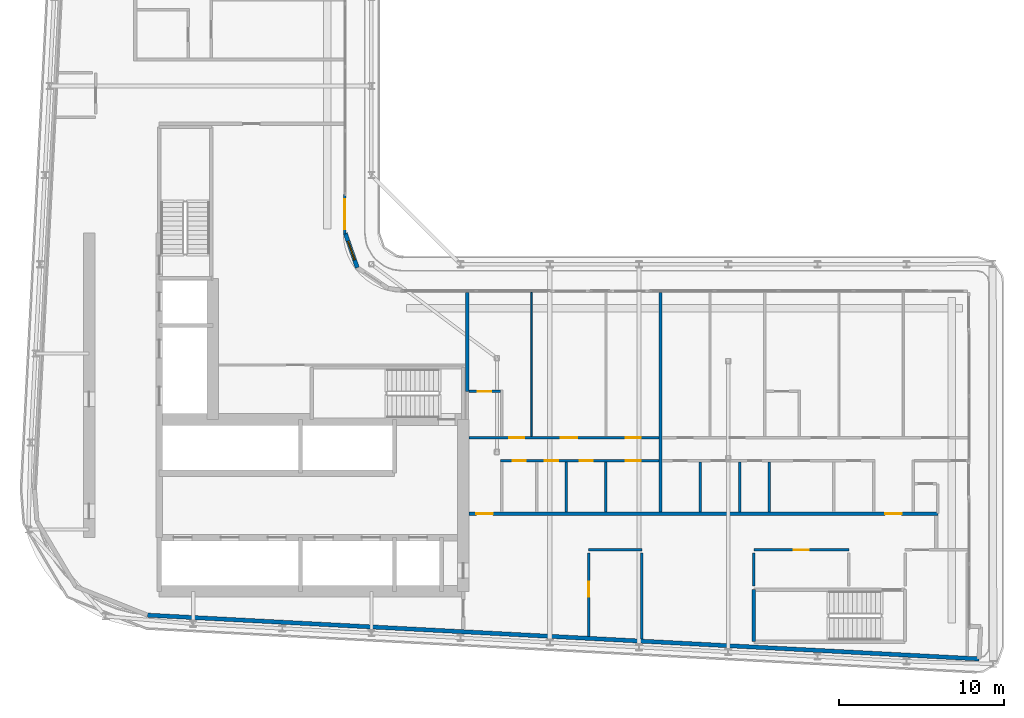
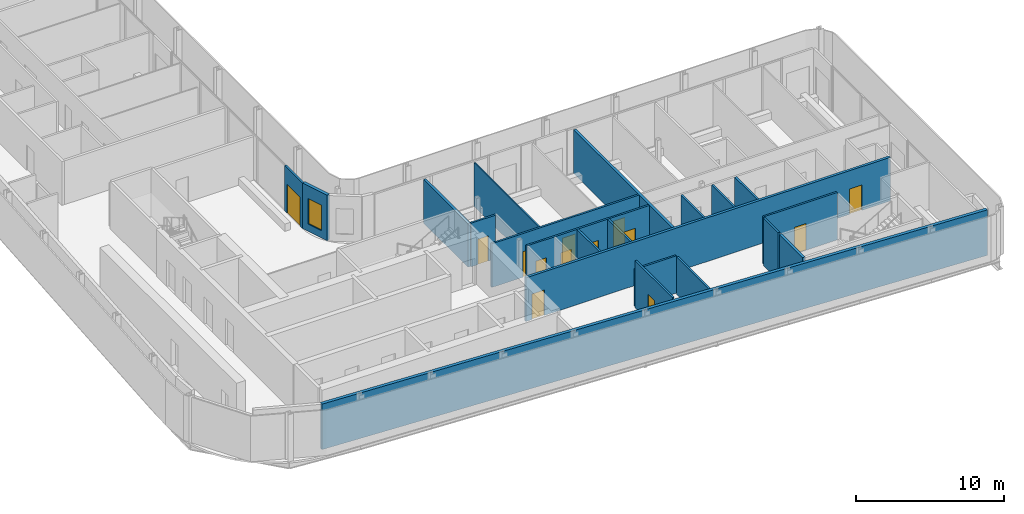
# One storey, part 11 of 23: 21 walls, 13 doors, 1 window, 14 openings.
"""IFC4 building model written with IfcOpenShell, lengths in metres."""

import ifcopenshell
import ifcopenshell.guid

model = None  # the IFC model being written
_history = None  # IfcOwnerHistory: only IFC2X3 demands one
_inside = {}  # id of a spatial element -> (the spatial element, [elements in it])
_under = {}  # id of a project, library or spatial element -> (it, [spatial elements below it])
_declared = {}  # id of a project -> (the project, [libraries it declares])
_typed = {}  # id of a type object -> (the type object, [elements of that type])
_made_of = {}  # id of a material, layer set ... -> (it, [elements and type objects made of it])


def new_model(schema):
    """Start an empty IFC model of exactly this schema.

    Asked for "IFC4X3", IfcOpenShell would pick the latest addendum, in which some entities
    have other attributes; the version numbers below select the first issue.
    IFC2X3 requires an IfcOwnerHistory on every rooted entity: one is made here for all.
    """
    global model, _history
    if schema == "IFC4X3":
        model = ifcopenshell.file(schema_version=(4, 3, 0, 0))
    else:
        model = ifcopenshell.file(schema=schema)
    _inside.clear()
    _under.clear()
    _declared.clear()
    _typed.clear()
    _made_of.clear()
    _history = None
    if model.schema == "IFC2X3":
        org = make("IfcOrganization", Name="unknown")
        user = make(
            "IfcPersonAndOrganization",
            ThePerson=make("IfcPerson", FamilyName="unknown"),
            TheOrganization=org,
        )
        app = make(
            "IfcApplication",
            ApplicationDeveloper=org,
            Version="unknown",
            ApplicationFullName="unknown",
            ApplicationIdentifier="unknown",
        )
        _history = make(
            "IfcOwnerHistory",
            OwningUser=user,
            OwningApplication=app,
            ChangeAction="ADDED",
            CreationDate=0,
        )
    return model


def make(cls, **values):
    """One entity of the class cls with the attributes given. An attribute that is None is left unset."""
    return model.create_entity(
        cls, **{name: value for name, value in values.items() if value is not None}
    )


def rooted(cls, **values):
    """An entity with a GlobalId (a new one), such as an element, a storey or a relation."""
    return make(cls, GlobalId=ifcopenshell.guid.new(), OwnerHistory=_history, **values)


def si_unit(unit_type, name, prefix=None):
    """IfcSIUnit, for example si_unit("LENGTHUNIT", "METRE", prefix="MILLI")."""
    return make("IfcSIUnit", UnitType=unit_type, Prefix=prefix, Name=name)


def assignment(units):
    """IfcUnitAssignment: the units of a project."""
    return None if units is None else make("IfcUnitAssignment", Units=units)


def point(xyz):
    """IfcCartesianPoint."""
    return None if xyz is None else make("IfcCartesianPoint", Coordinates=xyz)


def direction(xyz):
    """IfcDirection."""
    return None if xyz is None else make("IfcDirection", DirectionRatios=xyz)


def frame(location, z_axis=None, x_axis=None):
    """IfcAxis2Placement3D, a coordinate frame: its origin and axes. An axis left out is left unset."""
    return make(
        "IfcAxis2Placement3D",
        Location=point(location),
        Axis=direction(z_axis),
        RefDirection=direction(x_axis),
    )


def frame_2d(location, x_axis=None):
    """IfcAxis2Placement2D, a coordinate frame in the plane: its origin and x axis."""
    return make(
        "IfcAxis2Placement2D", Location=point(location), RefDirection=direction(x_axis)
    )


def origin():
    """The frame at (0, 0, 0) with its axes left unset."""
    return frame((0.0, 0.0, 0.0))


def place(relative_to, where):
    """IfcLocalPlacement: puts the frame where relative to a parent placement (None: the world)."""
    return make(
        "IfcLocalPlacement", PlacementRelTo=relative_to, RelativePlacement=where
    )


def context(
    kind, dimensions, precision=None, world=None, true_north=None, identifier=None
):
    """IfcGeometricRepresentationContext, for example the 3D "Model" context."""
    return make(
        "IfcGeometricRepresentationContext",
        ContextIdentifier=identifier,
        ContextType=kind,
        CoordinateSpaceDimension=dimensions,
        Precision=precision,
        WorldCoordinateSystem=world,
        TrueNorth=true_north,
    )


def subcontext(parent, identifier, kind, view, scale=None):
    """IfcGeometricRepresentationSubContext, for example "Body" below "Model"."""
    return make(
        "IfcGeometricRepresentationSubContext",
        ContextIdentifier=identifier,
        ContextType=kind,
        ParentContext=parent,
        TargetScale=scale,
        TargetView=view,
    )


def project(units=None, contexts=None):
    """IfcProject with its units and contexts."""
    return rooted(
        "IfcProject",
        Name="project",
        RepresentationContexts=contexts,
        UnitsInContext=assignment(units),
    )


def spatial(cls, under=None, at=None, **own):
    """A site, building, storey or space (cls), placed at a placement, below another one or the project."""
    s = rooted(cls, ObjectPlacement=at, **own)
    if under is not None:
        _under.setdefault(under.id(), (under, []))[1].append(s)
    return s


def profile(cls, at=None, kind="AREA", **sizes):
    """A parametric profile (cls). Its sizes go by their IFC names, for example OverallWidth=200.0."""
    return make(cls, ProfileType=kind, Position=at, **sizes)


def rectangle(**sizes):
    """IfcRectangleProfileDef."""
    return profile("IfcRectangleProfileDef", **sizes)


def extrude(swept, where, along, depth):
    """IfcExtrudedAreaSolid: the profile swept, set in the frame where, extruded along a direction by depth."""
    return make(
        "IfcExtrudedAreaSolid",
        SweptArea=swept,
        Position=where,
        ExtrudedDirection=direction(along),
        Depth=depth,
    )


def shape(context_of_items, identifier, shape_type, items):
    """IfcShapeRepresentation: the items that make up one representation, for example the "Body"."""
    return make(
        "IfcShapeRepresentation",
        ContextOfItems=context_of_items,
        RepresentationIdentifier=identifier,
        RepresentationType=shape_type,
        Items=items,
    )


def source(mapping_origin, context_of_items, identifier, shape_type, items):
    """IfcRepresentationMap: a shape defined once, which mapped items show again and again."""
    return make(
        "IfcRepresentationMap",
        MappingOrigin=mapping_origin,
        MappedRepresentation=shape(context_of_items, identifier, shape_type, items),
    )


def transform(
    local_origin,
    x_axis=None,
    y_axis=None,
    z_axis=None,
    scale=None,
    scale2=None,
    scale3=None,
    uniform=True,
):
    """IfcCartesianTransformationOperator3D, or its non-uniform kind. x_axis, y_axis, z_axis: its Axis1, 2, 3."""
    if uniform:
        return make(
            "IfcCartesianTransformationOperator3D",
            Axis1=direction(x_axis),
            Axis2=direction(y_axis),
            LocalOrigin=point(local_origin),
            Scale=scale,
            Axis3=direction(z_axis),
        )
    return make(
        "IfcCartesianTransformationOperator3DnonUniform",
        Axis1=direction(x_axis),
        Axis2=direction(y_axis),
        LocalOrigin=point(local_origin),
        Scale=scale,
        Axis3=direction(z_axis),
        Scale2=scale2,
        Scale3=scale3,
    )


def mapped(mapping_source, mapping_target):
    """IfcMappedItem: shows the shape of a source again, moved by a transform."""
    return make(
        "IfcMappedItem", MappingSource=mapping_source, MappingTarget=mapping_target
    )


def material(Name=None, Category=None):
    """IfcMaterial."""
    return make("IfcMaterial", Name=Name, Category=Category)


def layer(
    of_material, thickness, ventilated=None, Name=None, Category=None, Priority=None
):
    """IfcMaterialLayer: one layer of a wall or slab, of a material (None: an air gap)."""
    return make(
        "IfcMaterialLayer",
        Material=of_material,
        LayerThickness=thickness,
        IsVentilated=ventilated,
        Name=Name,
        Category=Category,
        Priority=Priority,
    )


def layer_set(layers, Name=None):
    """IfcMaterialLayerSet."""
    return make("IfcMaterialLayerSet", MaterialLayers=layers, LayerSetName=Name)


def made_of(thing, what):
    """Note that an element or type object is made of a material, layer set ...; save() writes the relation."""
    if what is not None:
        _made_of.setdefault(what.id(), (what, []))[1].append(thing)
    return thing


def type_object(cls, material=None, **own):
    """A type object (cls), such as IfcWallType, which elements share."""
    return made_of(rooted(cls, **own), material)


def element(
    cls,
    number,
    at=None,
    inside=None,
    cuts=None,
    type_object=None,
    material=None,
    context=None,
    identifier="Body",
    shape_type=None,
    held_by="IfcProductDefinitionShape",
    body=None,
    shapes=None,
    **own,
):
    """One element of the class cls, such as IfcWall. Its Tag is "e" and its number.

    at: its placement. inside: the storey or other place that contains it. cuts: it is an
    opening in that element (IfcRelVoidsElement). A single representation is given by context,
    identifier, shape_type and body (its items); several are given by shapes. held_by: the class
    of the entity that holds the representations. save() writes the other relations.
    """
    e = rooted(cls, Tag="e%d" % number, ObjectPlacement=at, **own)
    if body is not None:
        shapes = [shape(context, identifier, shape_type, body)]
    if shapes is not None:
        e.Representation = make(held_by, Representations=shapes)
    if inside is not None:
        _inside.setdefault(inside.id(), (inside, []))[1].append(e)
    if cuts is not None:
        rooted(
            "IfcRelVoidsElement", RelatingBuildingElement=cuts, RelatedOpeningElement=e
        )
    if type_object is not None:
        _typed.setdefault(type_object.id(), (type_object, []))[1].append(e)
    return made_of(e, material)


def fill(opening, filler):
    """IfcRelFillsElement: the door or window that sits in an opening."""
    return rooted(
        "IfcRelFillsElement",
        RelatingOpeningElement=opening,
        RelatedBuildingElement=filler,
    )


def aggregate(whole, parts):
    """IfcRelAggregates: a whole, such as a stair, and the parts it consists of."""
    return rooted("IfcRelAggregates", RelatingObject=whole, RelatedObjects=parts)


def save(model, path):
    """Write the relations noted so far, then the file.

    IfcRelAggregates (storeys below a building ...), IfcRelContainedInSpatialStructure (elements
    in a storey), IfcRelDefinesByType, IfcRelAssociatesMaterial and IfcRelDeclares: one each for
    every whole, place, type object, material and project.
    """
    for whole, parts in _under.values():
        aggregate(whole, parts)
    for where, things in _inside.values():
        rooted(
            "IfcRelContainedInSpatialStructure",
            RelatedElements=things,
            RelatingStructure=where,
        )
    for kind, things in _typed.values():
        rooted("IfcRelDefinesByType", RelatedObjects=things, RelatingType=kind)
    for what, things in _made_of.values():
        rooted("IfcRelAssociatesMaterial", RelatedObjects=things, RelatingMaterial=what)
    for by, libraries in _declared.values():
        rooted("IfcRelDeclares", RelatingContext=by, RelatedDefinitions=libraries)
    model.write(path)


model = new_model("IFC4")

# Units and contexts
model_context = context("Model", 3, precision=1e-05, world=origin(), true_north=direction((0.0, 1.0)))
body_context = subcontext(model_context, "Body", "Model", "MODEL_VIEW")
ifc_project = project(units=[si_unit("LENGTHUNIT", "METRE"), si_unit("AREAUNIT", "SQUARE_METRE"), si_unit("VOLUMEUNIT", "CUBIC_METRE"), si_unit("PLANEANGLEUNIT", "RADIAN"), si_unit("MASSUNIT", "GRAM", prefix="KILO")], contexts=[model_context])

# Site, building, storey
site_placement = place(None, origin())
site = spatial("IfcSite", under=ifc_project, at=site_placement, CompositionType="ELEMENT")
building_placement = place(site_placement, origin())
building = spatial("IfcBuilding", under=site, at=building_placement, Name="Kheshtan School and Residences Tower", CompositionType="ELEMENT")
storey_placement = place(building_placement, frame((0.0, 0.0, 259.10009765625)))
storey = spatial("IfcBuildingStorey", under=building, at=storey_placement, Name="L61", CompositionType="ELEMENT", Elevation=259.10009765625)

# Wall, openings, doors
ifc_material_1 = material(Name="Gypsum board on steel studs with fire boards", Category="steel")
ifc_layer_1 = layer(ifc_material_1, 0.199951171875)
ifc_layer_set_1 = layer_set([ifc_layer_1], Name="Corridor wall 200")
wall_type_1 = type_object("IfcWallType", Name="Corridor wall 200", PredefinedType="PARTITIONING", material=ifc_layer_set_1)
wall_1_placement = place(storey_placement, frame((53.4990234375, 30.5, 0.0), z_axis=(0.0, 0.0, 1.0), x_axis=(1.0, 0.0, 0.0)))
wall_1 = element("IfcWall", 1, at=wall_1_placement, inside=storey, type_object=wall_type_1, Name="Partition L61-033", PredefinedType="PARTITIONING", context=body_context, shape_type="SweptSolid", body=[
    extrude(rectangle(XDim=28.40087890625, YDim=0.199951171875, at=frame_2d((14.200439453125, 0.0))), origin(), (0.0, 0.0, 1.0), 3.599853515625),
])
opening_1_placement = place(wall_1_placement, frame((0.450927734375, 0.0, 0.0)))
opening_1 = element("IfcOpeningElement", 2, at=opening_1_placement, cuts=wall_1, Name="Opening D61-004", PredefinedType="OPENING", context=body_context, shape_type="SweptSolid", body=[
    extrude(rectangle(XDim=1.0, YDim=2.10009765625, at=frame_2d((0.5, 1.050048828125))), frame((0.0, 0.10986328125, 0.0), z_axis=(0.0, -1.0, 0.0), x_axis=(1.0, 0.0, 0.0)), (0.0, 0.0, 1.0), 0.219970703125),
])
opening_2_placement = place(wall_1_placement, frame((25.200927734375, 0.0, 0.0)))
opening_2 = element("IfcOpeningElement", 3, at=opening_2_placement, cuts=wall_1, Name="Opening D61-016", PredefinedType="OPENING", context=body_context, shape_type="SweptSolid", body=[
    extrude(rectangle(XDim=1.0, YDim=2.10009765625, at=frame_2d((0.5, 1.050048828125))), frame((0.0, 0.10986328125, 0.0), z_axis=(0.0, -1.0, 0.0), x_axis=(1.0, 0.0, 0.0)), (0.0, 0.0, 1.0), 0.219970703125),
])
ifc_material_2 = material(Name="Steel-framed fire-resisting door leaf", Category="steel")
door_type_1 = type_object("IfcDoorType", Name="Fire door FD30S 1000 x 2100", OperationType="SINGLE_SWING_LEFT", PredefinedType="DOOR", material=ifc_material_2)
shared_shape_1 = source(origin(), body_context, "Body", "SweptSolid", [
    extrude(rectangle(XDim=1.0, YDim=2.10009765625, at=frame_2d((0.5, 1.050048828125))), frame((0.0, 0.02490234375, 0.0), z_axis=(0.0, -1.0, 0.0), x_axis=(1.0, 0.0, 0.0)), (0.0, 0.0, 1.0), 0.050048828125),
])
door_1_placement = place(opening_1_placement, origin())
door_1 = element("IfcDoor", 4, at=door_1_placement, inside=storey, type_object=door_type_1, Name="Door D61-004", OperationType="SINGLE_SWING_LEFT", OverallHeight=2.10009765625, OverallWidth=1.0, PredefinedType="DOOR", context=body_context, shape_type="MappedRepresentation", body=[
    mapped(shared_shape_1, transform((0.0, 0.0, 0.0), x_axis=(1.0, 0.0, 0.0), y_axis=(0.0, 1.0, 0.0), z_axis=(0.0, 0.0, 1.0), scale=1.0)),
])
fill(opening_1, door_1)
door_2_placement = place(opening_2_placement, origin())
door_2 = element("IfcDoor", 5, at=door_2_placement, inside=storey, type_object=door_type_1, Name="Door D61-016", OperationType="SINGLE_SWING_RIGHT", OverallHeight=2.10009765625, OverallWidth=1.0, PredefinedType="DOOR", context=body_context, shape_type="MappedRepresentation", body=[
    mapped(shared_shape_1, transform((0.0, 0.0, 0.0), x_axis=(1.0, 0.0, 0.0), y_axis=(0.0, 1.0, 0.0), z_axis=(0.0, 0.0, 1.0), scale=1.0)),
])
fill(opening_2, door_2)

# Wall, opening, window
ifc_material_3 = material(Name="Concrete C40/50 with ceramic cladding and mineral wool insulation", Category="concrete")
ifc_layer_2 = layer(ifc_material_3, 0.25)
ifc_layer_set_2 = layer_set([ifc_layer_2], Name="External wall 250 ceramic clad")
wall_type_2 = type_object("IfcWallType", Name="External wall 250 ceramic clad", PredefinedType="SOLIDWALL", material=ifc_layer_set_2)
wall_2_placement = place(storey_placement, frame((46.01806640625, 47.470947265625, 0.0), z_axis=(0.0, 0.0, 1.0), x_axis=(0.328791208903, -0.944402637093, 0.0)))
wall_2 = element("IfcWall", 6, at=wall_2_placement, inside=storey, type_object=wall_type_2, Name="External wall L61 9", PredefinedType="SOLIDWALL", context=body_context, shape_type="SweptSolid", body=[
    extrude(rectangle(XDim=2.20458984375, YDim=0.25, at=frame_2d((1.102294921875, 0.0))), origin(), (0.0, 0.0, 1.0), 3.75),
])
opening_3_placement = place(wall_2_placement, frame((0.5029296875, 0.0, 0.60009765625)))
opening_3 = element("IfcOpeningElement", 7, at=opening_3_placement, cuts=wall_2, Name="Opening WN-E", PredefinedType="OPENING", context=body_context, shape_type="SweptSolid", body=[
    extrude(rectangle(XDim=1.199951171875, YDim=2.10009765625, at=frame_2d((0.60009765625, 1.050048828125))), frame((0.0, 0.135009765625, 0.0), z_axis=(0.0, -1.0, 0.0), x_axis=(1.0, 0.0, 0.0)), (0.0, 0.0, 1.0), 0.27001953125),
])
ifc_material_4 = material(Name="Clear low-e glass in thermally broken aluminium frame", Category="aluminium")
window_type = type_object("IfcWindowType", Name="Window WN-E", PartitioningType="SINGLE_PANEL", PredefinedType="WINDOW", material=ifc_material_4)
shared_shape_2 = source(origin(), body_context, "Body", "SweptSolid", [
    extrude(rectangle(XDim=1.199951171875, YDim=2.10009765625, at=frame_2d((0.60009765625, 1.050048828125))), frame((0.0, 0.030029296875, 0.0), z_axis=(0.0, -1.0, 0.0), x_axis=(1.0, 0.0, 0.0)), (0.0, 0.0, 1.0), 0.06005859375),
])
window_placement = place(opening_3_placement, origin())
window = element("IfcWindow", 8, at=window_placement, inside=storey, type_object=window_type, Name="Window L61 9", OverallHeight=2.10009765625, OverallWidth=1.199951171875, PartitioningType="SINGLE_PANEL", PredefinedType="WINDOW", context=body_context, shape_type="MappedRepresentation", body=[
    mapped(shared_shape_2, transform((0.0, 0.0, 0.0), x_axis=(1.0, 0.0, 0.0), y_axis=(0.0, 1.0, 0.0), z_axis=(0.0, 0.0, 1.0), scale=1.0)),
])
fill(opening_3, window)

# Wall
wall_3_placement = place(storey_placement, frame((84.385986328125, 21.702880859375, 0.0), z_axis=(0.0, 0.0, 1.0), x_axis=(-0.998617508267, 0.05256493302, 0.0)))
element("IfcWall", 9, at=wall_3_placement, inside=storey, type_object=wall_type_2, Name="External wall L61 16", PredefinedType="SOLIDWALL", context=body_context, shape_type="SweptSolid", body=[
    extrude(rectangle(XDim=50.41650390625, YDim=0.25, at=frame_2d((25.208251953125, 0.0))), origin(), (0.0, 0.0, 1.0), 3.75),
])

# Wall, opening, door
ifc_material_5 = material(Name="Aluminium frame wall with insulated infill", Category="aluminium")
ifc_layer_3 = layer(ifc_material_5, 0.14990234375)
ifc_layer_set_3 = layer_set([ifc_layer_3], Name="Glazing frame wall 150")
wall_type_3 = type_object("IfcWallType", Name="Glazing frame wall 150", PredefinedType="SOLIDWALL", material=ifc_layer_set_3)
wall_4_placement = place(storey_placement, frame((45.97509765625, 49.830078125, 0.0), z_axis=(0.0, 0.0, 1.0), x_axis=(0.0, -1.0, 0.0)))
wall_4 = element("IfcWall", 10, at=wall_4_placement, inside=storey, type_object=wall_type_3, Name="Balcony door wall L61 8.5", PredefinedType="SOLIDWALL", context=body_context, shape_type="SweptSolid", body=[
    extrude(rectangle(XDim=2.400146484375, YDim=0.14990234375, at=frame_2d((1.2001953125, 0.0))), origin(), (0.0, 0.0, 1.0), 3.75),
])
opening_4_placement = place(wall_4_placement, frame((0.300048828125, 0.0, 0.0)))
opening_4 = element("IfcOpeningElement", 11, at=opening_4_placement, cuts=wall_4, Name="Opening BD", PredefinedType="OPENING", context=body_context, shape_type="SweptSolid", body=[
    extrude(rectangle(XDim=1.800048828125, YDim=2.39990234375, at=frame_2d((0.89990234375, 1.199951171875))), frame((0.0, 0.0849609375, 0.0), z_axis=(0.0, -1.0, 0.0), x_axis=(1.0, 0.0, 0.0)), (0.0, 0.0, 1.0), 0.169921875),
])
door_type_2 = type_object("IfcDoorType", Name="Balcony sliding door", OperationType="SLIDING_TO_LEFT", PredefinedType="DOOR", material=ifc_material_4)
shared_shape_3 = source(origin(), body_context, "Body", "SweptSolid", [
    extrude(rectangle(XDim=1.800048828125, YDim=2.39990234375, at=frame_2d((0.89990234375, 1.199951171875))), frame((0.0, 0.02490234375, 0.0), z_axis=(0.0, -1.0, 0.0), x_axis=(1.0, 0.0, 0.0)), (0.0, 0.0, 1.0), 0.050048828125),
])
door_3_placement = place(opening_4_placement, origin())
door_3 = element("IfcDoor", 12, at=door_3_placement, inside=storey, type_object=door_type_2, Name="Balcony door L61 8.5", OperationType="SLIDING_TO_LEFT", OverallHeight=2.39990234375, OverallWidth=1.800048828125, PredefinedType="DOOR", context=body_context, shape_type="MappedRepresentation", body=[
    mapped(shared_shape_3, transform((0.0, 0.0, 0.0), x_axis=(1.0, 0.0, 0.0), y_axis=(0.0, 1.0, 0.0), z_axis=(0.0, 0.0, 1.0), scale=1.0)),
])
fill(opening_4, door_3)

# Walls
ifc_material_6 = material(Name="Gypsum board on steel studs", Category="steel")
ifc_layer_4 = layer(ifc_material_6, 0.10009765625)
ifc_layer_set_4 = layer_set([ifc_layer_4], Name="Gypsum partition 100")
wall_type_4 = type_object("IfcWallType", Name="Gypsum partition 100", PredefinedType="PARTITIONING", material=ifc_layer_set_4)
wall_5_placement = place(storey_placement, frame((57.300048828125, 35.175048828125, 0.0), z_axis=(0.0, 0.0, 1.0), x_axis=(0.0, 1.0, 0.0)))
element("IfcWall", 13, at=wall_5_placement, inside=storey, type_object=wall_type_4, Name="Partition L61-039", PredefinedType="PARTITIONING", context=body_context, shape_type="SweptSolid", body=[
    extrude(rectangle(XDim=8.724853515625, YDim=0.10009765625, at=frame_2d((4.3623046875, 0.0))), origin(), (0.0, 0.0, 1.0), 3.599853515625),
])
ifc_material_7 = material(Name="Fire-board shaft wall system")
ifc_layer_5 = layer(ifc_material_7, 0.14990234375)
ifc_layer_set_5 = layer_set([ifc_layer_5], Name="Service room wall 150")
wall_type_5 = type_object("IfcWallType", Name="Service room wall 150", PredefinedType="PARTITIONING", material=ifc_layer_set_5)
wall_6_placement = place(storey_placement, frame((60.75, 28.300048828125, 0.0), z_axis=(0.0, 0.0, 1.0), x_axis=(1.0, 0.0, 0.0)))
element("IfcWall", 14, at=wall_6_placement, inside=storey, type_object=wall_type_5, Name="Service room wall", PredefinedType="PARTITIONING", context=body_context, shape_type="SweptSolid", body=[
    extrude(rectangle(XDim=3.22998046875, YDim=0.14990234375, at=frame_2d((1.614990234375, 0.0))), origin(), (0.0, 0.0, 1.0), 3.072021484375),
])

# Wall, opening, door
wall_7_placement = place(storey_placement, frame((60.75, 23.074951171875, 0.0), z_axis=(0.0, 0.0, 1.0), x_axis=(0.0, 1.0, 0.0)))
wall_7 = element("IfcWall", 15, at=wall_7_placement, inside=storey, type_object=wall_type_5, Name="Service room wall", PredefinedType="PARTITIONING", context=body_context, shape_type="SweptSolid", body=[
    extrude(rectangle(XDim=5.030029296875, YDim=0.14990234375, at=frame_2d((2.51513671875, 0.0))), origin(), (0.0, 0.0, 1.0), 3.89990234375),
])
opening_5_placement = place(wall_7_placement, frame((2.386962890625, 0.0, 0.0)))
opening_5 = element("IfcOpeningElement", 16, at=opening_5_placement, cuts=wall_7, Name="Opening SR90", PredefinedType="OPENING", context=body_context, shape_type="SweptSolid", body=[
    extrude(rectangle(XDim=0.89990234375, YDim=2.199951171875, at=frame_2d((0.449951171875, 1.10009765625))), frame((0.0, 0.0849609375, 0.0), z_axis=(0.0, -1.0, 0.0), x_axis=(1.0, 0.0, 0.0)), (0.0, 0.0, 1.0), 0.169921875),
])
ifc_material_8 = material(Name="Steel door leaf, galvanised", Category="steel")
door_type_3 = type_object("IfcDoorType", Name="Service room door 900 steel 90 min", OperationType="SINGLE_SWING_LEFT", PredefinedType="DOOR", material=ifc_material_8)
shared_shape_4 = source(origin(), body_context, "Body", "SweptSolid", [
    extrude(rectangle(XDim=0.89990234375, YDim=2.199951171875, at=frame_2d((0.449951171875, 1.10009765625))), frame((0.0, 0.02490234375, 0.0), z_axis=(0.0, -1.0, 0.0), x_axis=(1.0, 0.0, 0.0)), (0.0, 0.0, 1.0), 0.050048828125),
])
door_4_placement = place(opening_5_placement, origin())
door_4 = element("IfcDoor", 17, at=door_4_placement, inside=storey, type_object=door_type_3, Name="Service room door", OperationType="SINGLE_SWING_LEFT", OverallHeight=2.199951171875, OverallWidth=0.89990234375, PredefinedType="DOOR", context=body_context, shape_type="MappedRepresentation", body=[
    mapped(shared_shape_4, transform((0.0, 0.0, 0.0), x_axis=(1.0, 0.0, 0.0), y_axis=(0.0, 1.0, 0.0), z_axis=(0.0, 0.0, 1.0), scale=1.0)),
])
fill(opening_5, door_4)

# Wall
wall_8_placement = place(storey_placement, frame((63.97998046875, 22.905029296875, 0.0), z_axis=(0.0, 0.0, 1.0), x_axis=(0.0, 1.0, 0.0)))
element("IfcWall", 18, at=wall_8_placement, inside=storey, type_object=wall_type_5, Name="Service room wall", PredefinedType="PARTITIONING", context=body_context, shape_type="SweptSolid", body=[
    extrude(rectangle(XDim=5.199951171875, YDim=0.14990234375, at=frame_2d((2.60009765625, 0.0))), origin(), (0.0, 0.0, 1.0), 3.072021484375),
])

# Wall, opening, door
wall_9_placement = place(storey_placement, frame((70.75, 28.300048828125, 0.0), z_axis=(0.0, 0.0, 1.0), x_axis=(1.0, 0.0, 0.0)))
wall_9 = element("IfcWall", 19, at=wall_9_placement, inside=storey, type_object=wall_type_5, Name="Service room wall", PredefinedType="PARTITIONING", context=body_context, shape_type="SweptSolid", body=[
    extrude(rectangle(XDim=5.760009765625, YDim=0.14990234375, at=frame_2d((2.8798828125, 0.0))), origin(), (0.0, 0.0, 1.0), 3.89990234375),
])
opening_6_placement = place(wall_9_placement, frame((2.429931640625, 0.0, 0.0)))
opening_6 = element("IfcOpeningElement", 20, at=opening_6_placement, cuts=wall_9, Name="Opening SR90", PredefinedType="OPENING", context=body_context, shape_type="SweptSolid", body=[
    extrude(rectangle(XDim=0.89990234375, YDim=2.199951171875, at=frame_2d((0.449951171875, 1.10009765625))), frame((0.0, 0.0849609375, 0.0), z_axis=(0.0, -1.0, 0.0), x_axis=(1.0, 0.0, 0.0)), (0.0, 0.0, 1.0), 0.169921875),
])
door_5_placement = place(opening_6_placement, origin())
door_5 = element("IfcDoor", 21, at=door_5_placement, inside=storey, type_object=door_type_3, Name="Service room door", OperationType="SINGLE_SWING_LEFT", OverallHeight=2.199951171875, OverallWidth=0.89990234375, PredefinedType="DOOR", context=body_context, shape_type="MappedRepresentation", body=[
    mapped(shared_shape_4, transform((0.0, 0.0, 0.0), x_axis=(1.0, 0.0, 0.0), y_axis=(0.0, 1.0, 0.0), z_axis=(0.0, 0.0, 1.0), scale=1.0)),
])
fill(opening_6, door_5)

# Walls
wall_10_placement = place(storey_placement, frame((70.75, 26.1201171875, 0.0), z_axis=(0.0, 0.0, 1.0), x_axis=(0.0, 1.0, 0.0)))
element("IfcWall", 22, at=wall_10_placement, inside=storey, type_object=wall_type_5, Name="Service room wall", PredefinedType="PARTITIONING", context=body_context, shape_type="SweptSolid", body=[
    extrude(rectangle(XDim=1.98486328125, YDim=0.14990234375, at=frame_2d((0.992431640625, 0.0))), origin(), (0.0, 0.0, 1.0), 3.89990234375),
])
ifc_material_9 = material(Name="Concrete C40/50", Category="concrete")
ifc_layer_6 = layer(ifc_material_9, 0.199951171875)
ifc_layer_set_6 = layer_set([ifc_layer_6], Name="Stair enclosure wall 200 Concrete C40/50")
wall_type_6 = type_object("IfcWallType", Name="Stair enclosure wall 200 Concrete C40/50", PredefinedType="SHEAR", material=ifc_layer_set_6)
wall_11_placement = place(storey_placement, frame((70.75, 22.75, 0.0), z_axis=(0.0, 0.0, 1.0), x_axis=(0.0, 1.0, 0.0)))
element("IfcWall", 23, at=wall_11_placement, inside=storey, type_object=wall_type_6, Name="Stair enclosure wall ST5", PredefinedType="SHEAR", context=body_context, shape_type="SweptSolid", body=[
    extrude(rectangle(XDim=3.14990234375, YDim=0.199951171875, at=frame_2d((1.574951171875, 0.0))), origin(), (0.0, 0.0, 1.0), 3.89990234375),
])
ifc_material_10 = material(Name="Twin gypsum board on steel studs with mineral wool", Category="steel")
ifc_layer_7 = layer(ifc_material_10, 0.199951171875)
ifc_layer_set_7 = layer_set([ifc_layer_7], Name="Unit demising wall 200")
wall_type_7 = type_object("IfcWallType", Name="Unit demising wall 200", PredefinedType="PARTITIONING", material=ifc_layer_set_7)
wall_12_placement = place(storey_placement, frame((53.39990234375, 37.89990234375, 0.0), z_axis=(0.0, 0.0, 1.0), x_axis=(0.0, 1.0, 0.0)))
element("IfcWall", 24, at=wall_12_placement, inside=storey, type_object=wall_type_7, Name="Partition L61-032", PredefinedType="PARTITIONING", context=body_context, shape_type="SweptSolid", body=[
    extrude(rectangle(XDim=6.0, YDim=0.199951171875, at=frame_2d((3.0, 0.0))), origin(), (0.0, 0.0, 1.0), 3.599853515625),
])
wall_13_placement = place(storey_placement, frame((65.10009765625, 30.60009765625, 0.0), z_axis=(0.0, 0.0, 1.0), x_axis=(0.0, 1.0, 0.0)))
element("IfcWall", 25, at=wall_13_placement, inside=storey, type_object=wall_type_7, Name="Partition L61-044", PredefinedType="PARTITIONING", context=body_context, shape_type="SweptSolid", body=[
    extrude(rectangle(XDim=13.2998046875, YDim=0.199951171875, at=frame_2d((6.64990234375, 0.0))), origin(), (0.0, 0.0, 1.0), 3.599853515625),
])

# Wall, openings, doors
ifc_material_11 = material(Name="Moisture-resistant gypsum board on steel studs", Category="steel")
ifc_layer_8 = layer(ifc_material_11, 0.14990234375)
ifc_layer_set_8 = layer_set([ifc_layer_8], Name="Wet-room partition 150")
wall_type_8 = type_object("IfcWallType", Name="Wet-room partition 150", PredefinedType="PARTITIONING", material=ifc_layer_set_8)
wall_14_placement = place(storey_placement, frame((53.4990234375, 35.10009765625, 0.0), z_axis=(0.0, 0.0, 1.0), x_axis=(1.0, 0.0, 0.0)))
wall_14 = element("IfcWall", 26, at=wall_14_placement, inside=storey, type_object=wall_type_8, Name="Partition L61-034", PredefinedType="PARTITIONING", context=body_context, shape_type="SweptSolid", body=[
    extrude(rectangle(XDim=11.5009765625, YDim=0.14990234375, at=frame_2d((5.75048828125, 0.0))), origin(), (0.0, 0.0, 1.0), 3.599853515625),
])
opening_7_placement = place(wall_14_placement, frame((9.5009765625, 0.0, 0.0)))
opening_7 = element("IfcOpeningElement", 27, at=opening_7_placement, cuts=wall_14, Name="Opening D61-002", PredefinedType="OPENING", context=body_context, shape_type="SweptSolid", body=[
    extrude(rectangle(XDim=0.89990234375, YDim=2.10009765625, at=frame_2d((0.449951171875, 1.050048828125))), frame((0.0, 0.0849609375, 0.0), z_axis=(0.0, -1.0, 0.0), x_axis=(1.0, 0.0, 0.0)), (0.0, 0.0, 1.0), 0.169921875),
])
opening_8_placement = place(wall_14_placement, frame((5.551025390625, 0.0, 0.0)))
opening_8 = element("IfcOpeningElement", 28, at=opening_8_placement, cuts=wall_14, Name="Opening D61-007", PredefinedType="OPENING", context=body_context, shape_type="SweptSolid", body=[
    extrude(rectangle(XDim=1.0, YDim=2.10009765625, at=frame_2d((0.5, 1.050048828125))), frame((0.0, 0.0849609375, 0.0), z_axis=(0.0, -1.0, 0.0), x_axis=(1.0, 0.0, 0.0)), (0.0, 0.0, 1.0), 0.169921875),
])
opening_9_placement = place(wall_14_placement, frame((2.450927734375, 0.0, 0.0)))
opening_9 = element("IfcOpeningElement", 29, at=opening_9_placement, cuts=wall_14, Name="Opening D61-008", PredefinedType="OPENING", context=body_context, shape_type="SweptSolid", body=[
    extrude(rectangle(XDim=0.89990234375, YDim=2.10009765625, at=frame_2d((0.449951171875, 1.050048828125))), frame((0.0, 0.0849609375, 0.0), z_axis=(0.0, -1.0, 0.0), x_axis=(1.0, 0.0, 0.0)), (0.0, 0.0, 1.0), 0.169921875),
])
ifc_material_12 = material(Name="Veneered timber door leaf", Category="wood")
door_type_4 = type_object("IfcDoorType", Name="Door 1000 x 2100", OperationType="SINGLE_SWING_LEFT", PredefinedType="DOOR", material=ifc_material_12)
shared_shape_5 = source(origin(), body_context, "Body", "SweptSolid", [
    extrude(rectangle(XDim=1.0, YDim=2.10009765625, at=frame_2d((0.5, 1.050048828125))), frame((0.0, 0.02490234375, 0.0), z_axis=(0.0, -1.0, 0.0), x_axis=(1.0, 0.0, 0.0)), (0.0, 0.0, 1.0), 0.050048828125),
])
door_6_placement = place(opening_8_placement, origin())
door_6 = element("IfcDoor", 30, at=door_6_placement, inside=storey, type_object=door_type_4, Name="Door D61-007", OperationType="SINGLE_SWING_LEFT", OverallHeight=2.10009765625, OverallWidth=1.0, PredefinedType="DOOR", context=body_context, shape_type="MappedRepresentation", body=[
    mapped(shared_shape_5, transform((0.0, 0.0, 0.0), x_axis=(1.0, 0.0, 0.0), y_axis=(0.0, 1.0, 0.0), z_axis=(0.0, 0.0, 1.0), scale=1.0)),
])
fill(opening_8, door_6)
door_type_5 = type_object("IfcDoorType", Name="Door 900 x 2100", OperationType="SINGLE_SWING_LEFT", PredefinedType="DOOR", material=ifc_material_12)
shared_shape_6 = source(origin(), body_context, "Body", "SweptSolid", [
    extrude(rectangle(XDim=0.89990234375, YDim=2.10009765625, at=frame_2d((0.449951171875, 1.050048828125))), frame((0.0, 0.02490234375, 0.0), z_axis=(0.0, -1.0, 0.0), x_axis=(1.0, 0.0, 0.0)), (0.0, 0.0, 1.0), 0.050048828125),
])
door_7_placement = place(opening_7_placement, origin())
door_7 = element("IfcDoor", 31, at=door_7_placement, inside=storey, type_object=door_type_5, Name="Door D61-002", OperationType="SINGLE_SWING_LEFT", OverallHeight=2.10009765625, OverallWidth=0.89990234375, PredefinedType="DOOR", context=body_context, shape_type="MappedRepresentation", body=[
    mapped(shared_shape_6, transform((0.0, 0.0, 0.0), x_axis=(1.0, 0.0, 0.0), y_axis=(0.0, 1.0, 0.0), z_axis=(0.0, 0.0, 1.0), scale=1.0)),
])
fill(opening_7, door_7)
door_8_placement = place(opening_9_placement, origin())
door_8 = element("IfcDoor", 32, at=door_8_placement, inside=storey, type_object=door_type_5, Name="Door D61-008", OperationType="SINGLE_SWING_RIGHT", OverallHeight=2.10009765625, OverallWidth=0.89990234375, PredefinedType="DOOR", context=body_context, shape_type="MappedRepresentation", body=[
    mapped(shared_shape_6, transform((0.0, 0.0, 0.0), x_axis=(1.0, 0.0, 0.0), y_axis=(0.0, 1.0, 0.0), z_axis=(0.0, 0.0, 1.0), scale=1.0)),
])
fill(opening_9, door_8)

# Wall, opening, door
wall_15_placement = place(storey_placement, frame((53.5, 37.89990234375, 0.0), z_axis=(0.0, 0.0, 1.0), x_axis=(1.0, 0.0, 0.0)))
wall_15 = element("IfcWall", 33, at=wall_15_placement, inside=storey, type_object=wall_type_8, Name="Partition L61-035", PredefinedType="PARTITIONING", context=body_context, shape_type="SweptSolid", body=[
    extrude(rectangle(XDim=1.925048828125, YDim=0.14990234375, at=frame_2d((0.96240234375, 0.0))), origin(), (0.0, 0.0, 1.0), 3.599853515625),
])
opening_10_placement = place(wall_15_placement, frame((0.550048828125, 0.0, 0.0)))
opening_10 = element("IfcOpeningElement", 34, at=opening_10_placement, cuts=wall_15, Name="Opening D61-003", PredefinedType="OPENING", context=body_context, shape_type="SweptSolid", body=[
    extrude(rectangle(XDim=0.800048828125, YDim=2.10009765625, at=frame_2d((0.39990234375, 1.050048828125))), frame((0.0, 0.0849609375, 0.0), z_axis=(0.0, -1.0, 0.0), x_axis=(1.0, 0.0, 0.0)), (0.0, 0.0, 1.0), 0.169921875),
])
door_type_6 = type_object("IfcDoorType", Name="Door 800 x 2100", OperationType="SINGLE_SWING_LEFT", PredefinedType="DOOR", material=ifc_material_12)
shared_shape_7 = source(origin(), body_context, "Body", "SweptSolid", [
    extrude(rectangle(XDim=0.800048828125, YDim=2.10009765625, at=frame_2d((0.39990234375, 1.050048828125))), frame((0.0, 0.02490234375, 0.0), z_axis=(0.0, -1.0, 0.0), x_axis=(1.0, 0.0, 0.0)), (0.0, 0.0, 1.0), 0.050048828125),
])
door_9_placement = place(opening_10_placement, origin())
door_9 = element("IfcDoor", 35, at=door_9_placement, inside=storey, type_object=door_type_6, Name="Door D61-003", OperationType="SINGLE_SWING_LEFT", OverallHeight=2.10009765625, OverallWidth=0.800048828125, PredefinedType="DOOR", context=body_context, shape_type="MappedRepresentation", body=[
    mapped(shared_shape_7, transform((0.0, 0.0, 0.0), x_axis=(1.0, 0.0, 0.0), y_axis=(0.0, 1.0, 0.0), z_axis=(0.0, 0.0, 1.0), scale=1.0)),
])
fill(opening_10, door_9)

# Wall, openings, doors
wall_16_placement = place(storey_placement, frame((55.425048828125, 33.699951171875, 0.0), z_axis=(0.0, 0.0, 1.0), x_axis=(1.0, 0.0, 0.0)))
wall_16 = element("IfcWall", 36, at=wall_16_placement, inside=storey, type_object=wall_type_8, Name="Partition L61-036", PredefinedType="PARTITIONING", context=body_context, shape_type="SweptSolid", body=[
    extrude(rectangle(XDim=9.574951171875, YDim=0.14990234375, at=frame_2d((4.78759765625, 0.0))), origin(), (0.0, 0.0, 1.0), 3.599853515625),
])
opening_11_placement = place(wall_16_placement, frame((4.77490234375, 0.0, 0.0)))
opening_11 = element("IfcOpeningElement", 37, at=opening_11_placement, cuts=wall_16, Name="Opening D61-001", PredefinedType="OPENING", context=body_context, shape_type="SweptSolid", body=[
    extrude(rectangle(XDim=0.800048828125, YDim=2.10009765625, at=frame_2d((0.39990234375, 1.050048828125))), frame((0.0, 0.0849609375, 0.0), z_axis=(0.0, -1.0, 0.0), x_axis=(1.0, 0.0, 0.0)), (0.0, 0.0, 1.0), 0.169921875),
])
opening_12_placement = place(wall_16_placement, frame((7.574951171875, 0.0, 0.0)))
opening_12 = element("IfcOpeningElement", 38, at=opening_12_placement, cuts=wall_16, Name="Opening D61-005", PredefinedType="OPENING", context=body_context, shape_type="SweptSolid", body=[
    extrude(rectangle(XDim=0.89990234375, YDim=2.10009765625, at=frame_2d((0.449951171875, 1.050048828125))), frame((0.0, 0.0849609375, 0.0), z_axis=(0.0, -1.0, 0.0), x_axis=(1.0, 0.0, 0.0)), (0.0, 0.0, 1.0), 0.169921875),
])
opening_13_placement = place(wall_16_placement, frame((0.72509765625, 0.0, 0.0)))
opening_13 = element("IfcOpeningElement", 39, at=opening_13_placement, cuts=wall_16, Name="Opening D61-006", PredefinedType="OPENING", context=body_context, shape_type="SweptSolid", body=[
    extrude(rectangle(XDim=0.800048828125, YDim=2.10009765625, at=frame_2d((0.39990234375, 1.050048828125))), frame((0.0, 0.0849609375, 0.0), z_axis=(0.0, -1.0, 0.0), x_axis=(1.0, 0.0, 0.0)), (0.0, 0.0, 1.0), 0.169921875),
])
opening_14_placement = place(wall_16_placement, frame((2.675048828125, 0.0, 0.0)))
opening_14 = element("IfcOpeningElement", 40, at=opening_14_placement, cuts=wall_16, Name="Opening D61-009", PredefinedType="OPENING", context=body_context, shape_type="SweptSolid", body=[
    extrude(rectangle(XDim=0.800048828125, YDim=2.10009765625, at=frame_2d((0.39990234375, 1.050048828125))), frame((0.0, 0.0849609375, 0.0), z_axis=(0.0, -1.0, 0.0), x_axis=(1.0, 0.0, 0.0)), (0.0, 0.0, 1.0), 0.169921875),
])
door_10_placement = place(opening_11_placement, origin())
door_10 = element("IfcDoor", 41, at=door_10_placement, inside=storey, type_object=door_type_6, Name="Door D61-001", OperationType="SINGLE_SWING_LEFT", OverallHeight=2.10009765625, OverallWidth=0.800048828125, PredefinedType="DOOR", context=body_context, shape_type="MappedRepresentation", body=[
    mapped(shared_shape_7, transform((0.0, 0.0, 0.0), x_axis=(1.0, 0.0, 0.0), y_axis=(0.0, 1.0, 0.0), z_axis=(0.0, 0.0, 1.0), scale=1.0)),
])
fill(opening_11, door_10)
door_11_placement = place(opening_13_placement, origin())
door_11 = element("IfcDoor", 42, at=door_11_placement, inside=storey, type_object=door_type_6, Name="Door D61-006", OperationType="SINGLE_SWING_RIGHT", OverallHeight=2.10009765625, OverallWidth=0.800048828125, PredefinedType="DOOR", context=body_context, shape_type="MappedRepresentation", body=[
    mapped(shared_shape_7, transform((0.0, 0.0, 0.0), x_axis=(1.0, 0.0, 0.0), y_axis=(0.0, 1.0, 0.0), z_axis=(0.0, 0.0, 1.0), scale=1.0)),
])
fill(opening_13, door_11)
door_12_placement = place(opening_14_placement, origin())
door_12 = element("IfcDoor", 43, at=door_12_placement, inside=storey, type_object=door_type_6, Name="Door D61-009", OperationType="SINGLE_SWING_RIGHT", OverallHeight=2.10009765625, OverallWidth=0.800048828125, PredefinedType="DOOR", context=body_context, shape_type="MappedRepresentation", body=[
    mapped(shared_shape_7, transform((0.0, 0.0, 0.0), x_axis=(1.0, 0.0, 0.0), y_axis=(0.0, 1.0, 0.0), z_axis=(0.0, 0.0, 1.0), scale=1.0)),
])
fill(opening_14, door_12)
door_13_placement = place(opening_12_placement, origin())
door_13 = element("IfcDoor", 44, at=door_13_placement, inside=storey, type_object=door_type_5, Name="Door D61-005", OperationType="SINGLE_SWING_LEFT", OverallHeight=2.10009765625, OverallWidth=0.89990234375, PredefinedType="DOOR", context=body_context, shape_type="MappedRepresentation", body=[
    mapped(shared_shape_6, transform((0.0, 0.0, 0.0), x_axis=(1.0, 0.0, 0.0), y_axis=(0.0, 1.0, 0.0), z_axis=(0.0, 0.0, 1.0), scale=1.0)),
])
fill(opening_12, door_13)

# Walls
for number, where, z_axis, x_axis, name in (
    (45, (59.39990234375, 30.60009765625, 0.0), (0.0, 0.0, 1.0), (0.0, 1.0, 0.0), "Partition L61-041"),
    (46, (61.800048828125, 30.60009765625, 0.0), (0.0, 0.0, 1.0), (0.0, 1.0, 0.0), "Partition L61-042"),
    (47, (67.5, 30.60009765625, 0.0), (0.0, 0.0, 1.0), (0.0, 1.0, 0.0), "Partition L61-047"),
    (48, (69.89990234375, 30.60009765625, 0.0), (0.0, 0.0, 1.0), (0.0, 1.0, 0.0), "Partition L61-049"),
    (49, (71.699951171875, 30.60009765625, 0.0), (0.0, 0.0, 1.0), (0.0, 1.0, 0.0), "Partition L61-052"),
):
    element("IfcWall", number, at=place(storey_placement, frame(where, z_axis=z_axis, x_axis=x_axis)), inside=storey, type_object=wall_type_8, Name=name, PredefinedType="PARTITIONING", context=body_context, shape_type="SweptSolid", body=[
        extrude(rectangle(XDim=3.02490234375, YDim=0.14990234375, at=frame_2d((1.512451171875, 0.0))), origin(), (0.0, 0.0, 1.0), 3.599853515625),
    ])

save(model, "model.ifc")
